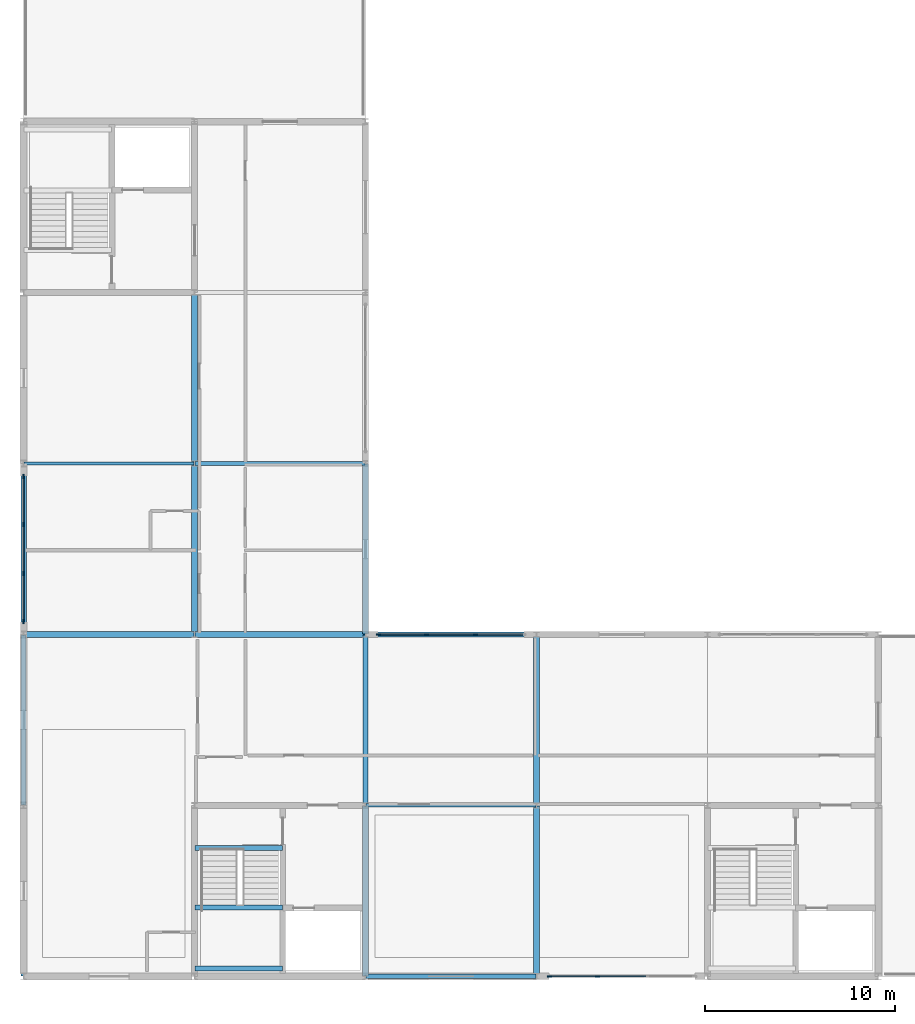
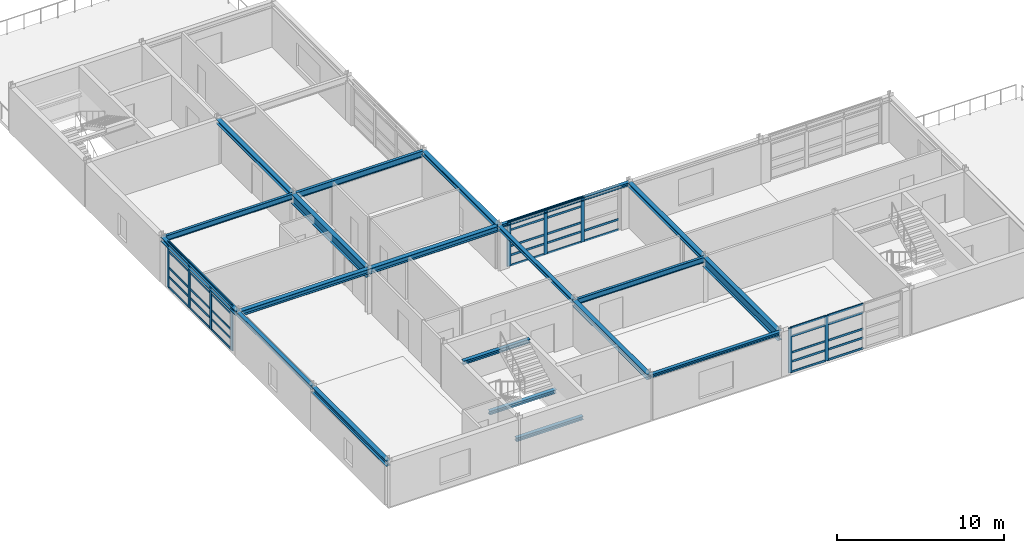
# One storey, part 4 of 11: 46 members, 20 beams, 3 elements without a shape of their own.
"""IFC4 building model written with IfcOpenShell, lengths in metres."""

from ifc_helpers import new_model, si_unit, direction, frame, origin, origin_2d, place, context, subcontext, project, spatial, rectangle, i_section, extrude, material, material_profile, profile_set, type_object, element, aggregate, save


model = new_model("IFC4")

# Units and contexts
model_context = context("Model", 3, precision=1e-05, world=origin(), true_north=direction((0.0, 1.0)))
body_context = subcontext(model_context, "Body", "Model", "MODEL_VIEW")
ifc_project = project(units=[si_unit("LENGTHUNIT", "METRE"), si_unit("AREAUNIT", "SQUARE_METRE"), si_unit("VOLUMEUNIT", "CUBIC_METRE"), si_unit("PLANEANGLEUNIT", "RADIAN"), si_unit("MASSUNIT", "GRAM", prefix="KILO")], contexts=[model_context])

# Site, building, storey
site_placement = place(None, origin())
site = spatial("IfcSite", under=ifc_project, at=site_placement, CompositionType="ELEMENT")
building_placement = place(site_placement, origin())
building = spatial("IfcBuilding", under=site, at=building_placement, Name="Palais des Congres Ocreval", CompositionType="ELEMENT")
storey_placement = place(building_placement, frame((0.0, 0.0, 26.8798828125)))
storey = spatial("IfcBuildingStorey", under=building, at=storey_placement, Name="L08", CompositionType="ELEMENT", Elevation=26.8798828125)

# Beams
ifc_material_1 = material(Name="Steel S355", Category="steel")
ifc_material_profile_1 = material_profile(ifc_material_1, i_section(OverallWidth=0.179931640625, OverallDepth=0.39990234375, WebThickness=0.008544921875, FlangeThickness=0.013427734375, at=origin_2d()), Name="IPE 400")
ifc_profile_set_1 = profile_set([ifc_material_profile_1], Name="Steel S355")
beam_type_1 = type_object("IfcBeamType", Name="Composite Beam IPE 400 Steel S355", PredefinedType="BEAM", material=ifc_profile_set_1)
for number, where, z_axis, x_axis, name in (
    (1, (0.02001953125, 27.0, 3.070068359375), (1.0, 0.0, 0.0), (0.0, 1.0, 0.0), "Beam B02 L08"),
    (2, (18.02001953125, 9.0, 3.070068359375), (1.0, 0.0, 0.0), (0.0, 1.0, 0.0), "Beam B02 L08"),
):
    element("IfcBeam", number, at=place(storey_placement, frame(where, z_axis=z_axis, x_axis=x_axis)), inside=storey, type_object=beam_type_1, Name=name, PredefinedType="BEAM", context=body_context, shape_type="SweptSolid", body=[
        extrude(i_section(OverallWidth=0.179931640625, OverallDepth=0.39990234375, WebThickness=0.008544921875, FlangeThickness=0.013427734375, at=origin_2d()), origin(), (0.0, 0.0, 1.0), 8.9599609375),
    ])
ifc_material_profile_2 = material_profile(ifc_material_1, i_section(OverallWidth=0.18994140625, OverallDepth=0.449951171875, WebThickness=0.009521484375, FlangeThickness=0.0146484375, at=origin_2d()), Name="IPE 450")
ifc_profile_set_2 = profile_set([ifc_material_profile_2], Name="Steel S355")
beam_type_2 = type_object("IfcBeamType", Name="Composite Beam IPE 450 Steel S355", PredefinedType="BEAM", material=ifc_profile_set_2)
beam_1_placement = place(storey_placement, frame((9.02001953125, 27.0, 3.045166015625), z_axis=(1.0, 0.0, 0.0), x_axis=(0.0, 1.0, 0.0)))
element("IfcBeam", 3, at=beam_1_placement, inside=storey, type_object=beam_type_2, Name="Beam B03 L08", PredefinedType="BEAM", context=body_context, shape_type="SweptSolid", body=[
    extrude(i_section(OverallWidth=0.18994140625, OverallDepth=0.449951171875, WebThickness=0.009521484375, FlangeThickness=0.0146484375, at=origin_2d()), origin(), (0.0, 0.0, 1.0), 8.9599609375),
])

# Curtain wall, members
ifc_material_2 = material(Name="Anodized bronze aluminium and low-E glass", Category="glass")
curtain_wall_type = type_object("IfcCurtainWallType", Name="Unitised Curtain Wall 7900x3280", PredefinedType="USERDEFINED", material=ifc_material_2)
curtain_wall_1_placement = place(storey_placement, origin())
curtain_wall_1 = element("IfcCurtainWall", 4, at=curtain_wall_1_placement, inside=storey, type_object=curtain_wall_type, Name="Unitised Curtain Wall CW06 L08", ObjectType="UNITISED CURTAIN WALL", PredefinedType="USERDEFINED")
ifc_material_3 = material(Name="Anodized bronze aluminium", Category="aluminium")
ifc_material_profile_3 = material_profile(ifc_material_3, rectangle(XDim=0.074951171875, YDim=0.239990234375, at=origin_2d()), Name="ALU 75x240")
ifc_profile_set_3 = profile_set([ifc_material_profile_3], Name="Anodized bronze aluminium")
member_type_1 = type_object("IfcMemberType", Name="Curtain Wall Mullion ALU 75x240", PredefinedType="MULLION", material=ifc_profile_set_3)
member_1_placement = place(storey_placement, frame((30.216796875, 0.0, 0.0), z_axis=(0.0, 0.0, 1.0), x_axis=(0.0, -1.0, 0.0)))
member_1 = element("IfcMember", 5, at=member_1_placement, type_object=member_type_1, Name="Curtain Wall Mullion ML01", PredefinedType="MULLION", context=body_context, shape_type="SweptSolid", body=[
    extrude(rectangle(XDim=0.074951171875, YDim=0.239990234375, at=origin_2d()), origin(), (0.0, 0.0, 1.0), 3.27001953125),
])
member_2_placement = place(storey_placement, frame((27.6875, 0.0, 0.0), z_axis=(0.0, 0.0, 1.0), x_axis=(0.0, -1.0, 0.0)))
member_2 = element("IfcMember", 6, at=member_2_placement, type_object=member_type_1, Name="Curtain Wall Mullion ML01", PredefinedType="MULLION", context=body_context, shape_type="SweptSolid", body=[
    extrude(rectangle(XDim=0.074951171875, YDim=0.239990234375, at=origin_2d()), origin(), (0.0, 0.0, 1.0), 3.27001953125),
])

curtain_wall_2_placement = place(storey_placement, origin())
curtain_wall_2 = element("IfcCurtainWall", 7, at=curtain_wall_2_placement, inside=storey, type_object=curtain_wall_type, Name="Unitised Curtain Wall CW06 L08", ObjectType="UNITISED CURTAIN WALL", PredefinedType="USERDEFINED")
member_3_placement = place(storey_placement, frame((0.0, 18.6875, 0.0), z_axis=(0.0, 0.0, 1.0), x_axis=(-1.0, 0.0, 0.0)))
member_3 = element("IfcMember", 8, at=member_3_placement, type_object=member_type_1, Name="Curtain Wall Mullion ML01", PredefinedType="MULLION", context=body_context, shape_type="SweptSolid", body=[
    extrude(rectangle(XDim=0.074951171875, YDim=0.239990234375, at=origin_2d()), origin(), (0.0, 0.0, 1.0), 3.27001953125),
])
member_4_placement = place(storey_placement, frame((0.0, 21.216796875, 0.0), z_axis=(0.0, 0.0, 1.0), x_axis=(-1.0, 0.0, 0.0)))
member_4 = element("IfcMember", 9, at=member_4_placement, type_object=member_type_1, Name="Curtain Wall Mullion ML01", PredefinedType="MULLION", context=body_context, shape_type="SweptSolid", body=[
    extrude(rectangle(XDim=0.074951171875, YDim=0.239990234375, at=origin_2d()), origin(), (0.0, 0.0, 1.0), 3.27001953125),
])
member_5_placement = place(storey_placement, frame((0.0, 23.783203125, 0.0), z_axis=(0.0, 0.0, 1.0), x_axis=(-1.0, 0.0, 0.0)))
member_5 = element("IfcMember", 10, at=member_5_placement, type_object=member_type_1, Name="Curtain Wall Mullion ML01", PredefinedType="MULLION", context=body_context, shape_type="SweptSolid", body=[
    extrude(rectangle(XDim=0.074951171875, YDim=0.239990234375, at=origin_2d()), origin(), (0.0, 0.0, 1.0), 3.27001953125),
])
member_6_placement = place(storey_placement, frame((0.0, 26.3125, 0.0), z_axis=(0.0, 0.0, 1.0), x_axis=(-1.0, 0.0, 0.0)))
member_6 = element("IfcMember", 11, at=member_6_placement, type_object=member_type_1, Name="Curtain Wall Mullion ML01", PredefinedType="MULLION", context=body_context, shape_type="SweptSolid", body=[
    extrude(rectangle(XDim=0.074951171875, YDim=0.239990234375, at=origin_2d()), origin(), (0.0, 0.0, 1.0), 3.27001953125),
])

curtain_wall_3_placement = place(storey_placement, origin())
curtain_wall_3 = element("IfcCurtainWall", 12, at=curtain_wall_3_placement, inside=storey, type_object=curtain_wall_type, Name="Unitised Curtain Wall CW06 L08", ObjectType="UNITISED CURTAIN WALL", PredefinedType="USERDEFINED")
member_7_placement = place(storey_placement, frame((18.6875, 18.0, 0.0), z_axis=(0.0, 0.0, 1.0), x_axis=(0.0, 1.0, 0.0)))
member_7 = element("IfcMember", 13, at=member_7_placement, type_object=member_type_1, Name="Curtain Wall Mullion ML01", PredefinedType="MULLION", context=body_context, shape_type="SweptSolid", body=[
    extrude(rectangle(XDim=0.074951171875, YDim=0.239990234375, at=origin_2d()), origin(), (0.0, 0.0, 1.0), 3.27001953125),
])
member_8_placement = place(storey_placement, frame((21.216796875, 18.0, 0.0), z_axis=(0.0, 0.0, 1.0), x_axis=(0.0, 1.0, 0.0)))
member_8 = element("IfcMember", 14, at=member_8_placement, type_object=member_type_1, Name="Curtain Wall Mullion ML01", PredefinedType="MULLION", context=body_context, shape_type="SweptSolid", body=[
    extrude(rectangle(XDim=0.074951171875, YDim=0.239990234375, at=origin_2d()), origin(), (0.0, 0.0, 1.0), 3.27001953125),
])
member_9_placement = place(storey_placement, frame((23.783203125, 18.0, 0.0), z_axis=(0.0, 0.0, 1.0), x_axis=(0.0, 1.0, 0.0)))
member_9 = element("IfcMember", 15, at=member_9_placement, type_object=member_type_1, Name="Curtain Wall Mullion ML01", PredefinedType="MULLION", context=body_context, shape_type="SweptSolid", body=[
    extrude(rectangle(XDim=0.074951171875, YDim=0.239990234375, at=origin_2d()), origin(), (0.0, 0.0, 1.0), 3.27001953125),
])

# Member
ifc_material_profile_4 = material_profile(ifc_material_3, rectangle(XDim=0.06005859375, YDim=0.14990234375, at=origin_2d()), Name="ALU 60x150")
ifc_profile_set_4 = profile_set([ifc_material_profile_4], Name="Anodized bronze aluminium")
member_type_2 = type_object("IfcMemberType", Name="Curtain Wall Transom ALU 60x150", PredefinedType="USERDEFINED", material=ifc_profile_set_4)
member_10_placement = place(storey_placement, frame((32.745849609375, 0.0, 0.030029296875), z_axis=(-1.0, 0.0, 0.0), x_axis=(0.0, -1.0, 0.0)))
member_10 = element("IfcMember", 16, at=member_10_placement, type_object=member_type_2, Name="Curtain Wall Transom TR01", ObjectType="TRANSOM", PredefinedType="USERDEFINED", context=body_context, shape_type="SweptSolid", body=[
    extrude(rectangle(XDim=0.06005859375, YDim=0.14990234375, at=origin_2d()), origin(), (0.0, 0.0, 1.0), 2.49169921875),
])

member_11_placement = place(storey_placement, frame((32.745849609375, 0.0, 0.780029296875), z_axis=(-1.0, 0.0, 0.0), x_axis=(0.0, -1.0, 0.0)))
member_11 = element("IfcMember", 17, at=member_11_placement, type_object=member_type_2, Name="Curtain Wall Transom TR01", ObjectType="TRANSOM", PredefinedType="USERDEFINED", context=body_context, shape_type="SweptSolid", body=[
    extrude(rectangle(XDim=0.06005859375, YDim=0.14990234375, at=origin_2d()), origin(), (0.0, 0.0, 1.0), 2.49169921875),
])

member_12_placement = place(storey_placement, frame((32.745849609375, 0.0, 1.441162109375), z_axis=(-1.0, 0.0, 0.0), x_axis=(0.0, -1.0, 0.0)))
member_12 = element("IfcMember", 18, at=member_12_placement, type_object=member_type_2, Name="Curtain Wall Transom TR01", ObjectType="TRANSOM", PredefinedType="USERDEFINED", context=body_context, shape_type="SweptSolid", body=[
    extrude(rectangle(XDim=0.06005859375, YDim=0.14990234375, at=origin_2d()), origin(), (0.0, 0.0, 1.0), 2.49169921875),
])

member_13_placement = place(storey_placement, frame((32.745849609375, 0.0, 2.6201171875), z_axis=(-1.0, 0.0, 0.0), x_axis=(0.0, -1.0, 0.0)))
member_13 = element("IfcMember", 19, at=member_13_placement, type_object=member_type_2, Name="Curtain Wall Transom TR01", ObjectType="TRANSOM", PredefinedType="USERDEFINED", context=body_context, shape_type="SweptSolid", body=[
    extrude(rectangle(XDim=0.06005859375, YDim=0.14990234375, at=origin_2d()), origin(), (0.0, 0.0, 1.0), 2.49169921875),
])

member_14_placement = place(storey_placement, frame((32.745849609375, 0.0, 3.240234375), z_axis=(-1.0, 0.0, 0.0), x_axis=(0.0, -1.0, 0.0)))
member_14 = element("IfcMember", 20, at=member_14_placement, type_object=member_type_2, Name="Curtain Wall Transom TR01", ObjectType="TRANSOM", PredefinedType="USERDEFINED", context=body_context, shape_type="SweptSolid", body=[
    extrude(rectangle(XDim=0.06005859375, YDim=0.14990234375, at=origin_2d()), origin(), (0.0, 0.0, 1.0), 2.49169921875),
])

member_15_placement = place(storey_placement, frame((30.17919921875, 0.0, 0.030029296875), z_axis=(-1.0, 0.0, 0.0), x_axis=(0.0, -1.0, 0.0)))
member_15 = element("IfcMember", 21, at=member_15_placement, type_object=member_type_2, Name="Curtain Wall Transom TR01", ObjectType="TRANSOM", PredefinedType="USERDEFINED", context=body_context, shape_type="SweptSolid", body=[
    extrude(rectangle(XDim=0.06005859375, YDim=0.14990234375, at=origin_2d()), origin(), (0.0, 0.0, 1.0), 2.4541015625),
])

member_16_placement = place(storey_placement, frame((30.17919921875, 0.0, 0.780029296875), z_axis=(-1.0, 0.0, 0.0), x_axis=(0.0, -1.0, 0.0)))
member_16 = element("IfcMember", 22, at=member_16_placement, type_object=member_type_2, Name="Curtain Wall Transom TR01", ObjectType="TRANSOM", PredefinedType="USERDEFINED", context=body_context, shape_type="SweptSolid", body=[
    extrude(rectangle(XDim=0.06005859375, YDim=0.14990234375, at=origin_2d()), origin(), (0.0, 0.0, 1.0), 2.4541015625),
])

member_17_placement = place(storey_placement, frame((30.17919921875, 0.0, 1.441162109375), z_axis=(-1.0, 0.0, 0.0), x_axis=(0.0, -1.0, 0.0)))
member_17 = element("IfcMember", 23, at=member_17_placement, type_object=member_type_2, Name="Curtain Wall Transom TR01", ObjectType="TRANSOM", PredefinedType="USERDEFINED", context=body_context, shape_type="SweptSolid", body=[
    extrude(rectangle(XDim=0.06005859375, YDim=0.14990234375, at=origin_2d()), origin(), (0.0, 0.0, 1.0), 2.4541015625),
])

member_18_placement = place(storey_placement, frame((30.17919921875, 0.0, 2.6201171875), z_axis=(-1.0, 0.0, 0.0), x_axis=(0.0, -1.0, 0.0)))
member_18 = element("IfcMember", 24, at=member_18_placement, type_object=member_type_2, Name="Curtain Wall Transom TR01", ObjectType="TRANSOM", PredefinedType="USERDEFINED", context=body_context, shape_type="SweptSolid", body=[
    extrude(rectangle(XDim=0.06005859375, YDim=0.14990234375, at=origin_2d()), origin(), (0.0, 0.0, 1.0), 2.4541015625),
])

member_19_placement = place(storey_placement, frame((30.17919921875, 0.0, 3.240234375), z_axis=(-1.0, 0.0, 0.0), x_axis=(0.0, -1.0, 0.0)))
member_19 = element("IfcMember", 25, at=member_19_placement, type_object=member_type_2, Name="Curtain Wall Transom TR01", ObjectType="TRANSOM", PredefinedType="USERDEFINED", context=body_context, shape_type="SweptSolid", body=[
    extrude(rectangle(XDim=0.06005859375, YDim=0.14990234375, at=origin_2d()), origin(), (0.0, 0.0, 1.0), 2.4541015625),
])

aggregate(curtain_wall_1, [member_1, member_2, member_10, member_11, member_12, member_13, member_14, member_15, member_16, member_17, member_18, member_19])

member_20_placement = place(storey_placement, frame((0.0, 18.72509765625, 0.030029296875), z_axis=(0.0, 1.0, 0.0), x_axis=(-1.0, 0.0, 0.0)))
member_20 = element("IfcMember", 26, at=member_20_placement, type_object=member_type_2, Name="Curtain Wall Transom TR01", ObjectType="TRANSOM", PredefinedType="USERDEFINED", context=body_context, shape_type="SweptSolid", body=[
    extrude(rectangle(XDim=0.06005859375, YDim=0.14990234375, at=origin_2d()), origin(), (0.0, 0.0, 1.0), 2.4541015625),
])

member_21_placement = place(storey_placement, frame((0.0, 18.72509765625, 0.780029296875), z_axis=(0.0, 1.0, 0.0), x_axis=(-1.0, 0.0, 0.0)))
member_21 = element("IfcMember", 27, at=member_21_placement, type_object=member_type_2, Name="Curtain Wall Transom TR01", ObjectType="TRANSOM", PredefinedType="USERDEFINED", context=body_context, shape_type="SweptSolid", body=[
    extrude(rectangle(XDim=0.06005859375, YDim=0.14990234375, at=origin_2d()), origin(), (0.0, 0.0, 1.0), 2.4541015625),
])

member_22_placement = place(storey_placement, frame((0.0, 18.72509765625, 1.441162109375), z_axis=(0.0, 1.0, 0.0), x_axis=(-1.0, 0.0, 0.0)))
member_22 = element("IfcMember", 28, at=member_22_placement, type_object=member_type_2, Name="Curtain Wall Transom TR01", ObjectType="TRANSOM", PredefinedType="USERDEFINED", context=body_context, shape_type="SweptSolid", body=[
    extrude(rectangle(XDim=0.06005859375, YDim=0.14990234375, at=origin_2d()), origin(), (0.0, 0.0, 1.0), 2.4541015625),
])

member_23_placement = place(storey_placement, frame((0.0, 18.72509765625, 2.6201171875), z_axis=(0.0, 1.0, 0.0), x_axis=(-1.0, 0.0, 0.0)))
member_23 = element("IfcMember", 29, at=member_23_placement, type_object=member_type_2, Name="Curtain Wall Transom TR01", ObjectType="TRANSOM", PredefinedType="USERDEFINED", context=body_context, shape_type="SweptSolid", body=[
    extrude(rectangle(XDim=0.06005859375, YDim=0.14990234375, at=origin_2d()), origin(), (0.0, 0.0, 1.0), 2.4541015625),
])

member_24_placement = place(storey_placement, frame((0.0, 18.72509765625, 3.240234375), z_axis=(0.0, 1.0, 0.0), x_axis=(-1.0, 0.0, 0.0)))
member_24 = element("IfcMember", 30, at=member_24_placement, type_object=member_type_2, Name="Curtain Wall Transom TR01", ObjectType="TRANSOM", PredefinedType="USERDEFINED", context=body_context, shape_type="SweptSolid", body=[
    extrude(rectangle(XDim=0.06005859375, YDim=0.14990234375, at=origin_2d()), origin(), (0.0, 0.0, 1.0), 2.4541015625),
])

member_25_placement = place(storey_placement, frame((0.0, 21.254150390625, 0.030029296875), z_axis=(0.0, 1.0, 0.0), x_axis=(-1.0, 0.0, 0.0)))
member_25 = element("IfcMember", 31, at=member_25_placement, type_object=member_type_2, Name="Curtain Wall Transom TR01", ObjectType="TRANSOM", PredefinedType="USERDEFINED", context=body_context, shape_type="SweptSolid", body=[
    extrude(rectangle(XDim=0.06005859375, YDim=0.14990234375, at=origin_2d()), origin(), (0.0, 0.0, 1.0), 2.49169921875),
])

member_26_placement = place(storey_placement, frame((0.0, 21.254150390625, 0.780029296875), z_axis=(0.0, 1.0, 0.0), x_axis=(-1.0, 0.0, 0.0)))
member_26 = element("IfcMember", 32, at=member_26_placement, type_object=member_type_2, Name="Curtain Wall Transom TR01", ObjectType="TRANSOM", PredefinedType="USERDEFINED", context=body_context, shape_type="SweptSolid", body=[
    extrude(rectangle(XDim=0.06005859375, YDim=0.14990234375, at=origin_2d()), origin(), (0.0, 0.0, 1.0), 2.49169921875),
])

member_27_placement = place(storey_placement, frame((0.0, 21.254150390625, 1.441162109375), z_axis=(0.0, 1.0, 0.0), x_axis=(-1.0, 0.0, 0.0)))
member_27 = element("IfcMember", 33, at=member_27_placement, type_object=member_type_2, Name="Curtain Wall Transom TR01", ObjectType="TRANSOM", PredefinedType="USERDEFINED", context=body_context, shape_type="SweptSolid", body=[
    extrude(rectangle(XDim=0.06005859375, YDim=0.14990234375, at=origin_2d()), origin(), (0.0, 0.0, 1.0), 2.49169921875),
])

member_28_placement = place(storey_placement, frame((0.0, 21.254150390625, 2.6201171875), z_axis=(0.0, 1.0, 0.0), x_axis=(-1.0, 0.0, 0.0)))
member_28 = element("IfcMember", 34, at=member_28_placement, type_object=member_type_2, Name="Curtain Wall Transom TR01", ObjectType="TRANSOM", PredefinedType="USERDEFINED", context=body_context, shape_type="SweptSolid", body=[
    extrude(rectangle(XDim=0.06005859375, YDim=0.14990234375, at=origin_2d()), origin(), (0.0, 0.0, 1.0), 2.49169921875),
])

member_29_placement = place(storey_placement, frame((0.0, 21.254150390625, 3.240234375), z_axis=(0.0, 1.0, 0.0), x_axis=(-1.0, 0.0, 0.0)))
member_29 = element("IfcMember", 35, at=member_29_placement, type_object=member_type_2, Name="Curtain Wall Transom TR01", ObjectType="TRANSOM", PredefinedType="USERDEFINED", context=body_context, shape_type="SweptSolid", body=[
    extrude(rectangle(XDim=0.06005859375, YDim=0.14990234375, at=origin_2d()), origin(), (0.0, 0.0, 1.0), 2.49169921875),
])

member_30_placement = place(storey_placement, frame((0.0, 23.82080078125, 0.030029296875), z_axis=(0.0, 1.0, 0.0), x_axis=(-1.0, 0.0, 0.0)))
member_30 = element("IfcMember", 36, at=member_30_placement, type_object=member_type_2, Name="Curtain Wall Transom TR01", ObjectType="TRANSOM", PredefinedType="USERDEFINED", context=body_context, shape_type="SweptSolid", body=[
    extrude(rectangle(XDim=0.06005859375, YDim=0.14990234375, at=origin_2d()), origin(), (0.0, 0.0, 1.0), 2.4541015625),
])

member_31_placement = place(storey_placement, frame((0.0, 23.82080078125, 0.780029296875), z_axis=(0.0, 1.0, 0.0), x_axis=(-1.0, 0.0, 0.0)))
member_31 = element("IfcMember", 37, at=member_31_placement, type_object=member_type_2, Name="Curtain Wall Transom TR01", ObjectType="TRANSOM", PredefinedType="USERDEFINED", context=body_context, shape_type="SweptSolid", body=[
    extrude(rectangle(XDim=0.06005859375, YDim=0.14990234375, at=origin_2d()), origin(), (0.0, 0.0, 1.0), 2.4541015625),
])

member_32_placement = place(storey_placement, frame((0.0, 23.82080078125, 1.441162109375), z_axis=(0.0, 1.0, 0.0), x_axis=(-1.0, 0.0, 0.0)))
member_32 = element("IfcMember", 38, at=member_32_placement, type_object=member_type_2, Name="Curtain Wall Transom TR01", ObjectType="TRANSOM", PredefinedType="USERDEFINED", context=body_context, shape_type="SweptSolid", body=[
    extrude(rectangle(XDim=0.06005859375, YDim=0.14990234375, at=origin_2d()), origin(), (0.0, 0.0, 1.0), 2.4541015625),
])

member_33_placement = place(storey_placement, frame((0.0, 23.82080078125, 2.6201171875), z_axis=(0.0, 1.0, 0.0), x_axis=(-1.0, 0.0, 0.0)))
member_33 = element("IfcMember", 39, at=member_33_placement, type_object=member_type_2, Name="Curtain Wall Transom TR01", ObjectType="TRANSOM", PredefinedType="USERDEFINED", context=body_context, shape_type="SweptSolid", body=[
    extrude(rectangle(XDim=0.06005859375, YDim=0.14990234375, at=origin_2d()), origin(), (0.0, 0.0, 1.0), 2.4541015625),
])

member_34_placement = place(storey_placement, frame((0.0, 23.82080078125, 3.240234375), z_axis=(0.0, 1.0, 0.0), x_axis=(-1.0, 0.0, 0.0)))
member_34 = element("IfcMember", 40, at=member_34_placement, type_object=member_type_2, Name="Curtain Wall Transom TR01", ObjectType="TRANSOM", PredefinedType="USERDEFINED", context=body_context, shape_type="SweptSolid", body=[
    extrude(rectangle(XDim=0.06005859375, YDim=0.14990234375, at=origin_2d()), origin(), (0.0, 0.0, 1.0), 2.4541015625),
])

aggregate(curtain_wall_2, [member_3, member_4, member_5, member_6, member_20, member_21, member_22, member_23, member_24, member_25, member_26, member_27, member_28, member_29, member_30, member_31, member_32, member_33, member_34])

member_35_placement = place(storey_placement, frame((18.72509765625, 18.0, 0.030029296875), z_axis=(1.0, 0.0, 0.0), x_axis=(0.0, 1.0, 0.0)))
member_35 = element("IfcMember", 41, at=member_35_placement, type_object=member_type_2, Name="Curtain Wall Transom TR01", ObjectType="TRANSOM", PredefinedType="USERDEFINED", context=body_context, shape_type="SweptSolid", body=[
    extrude(rectangle(XDim=0.06005859375, YDim=0.14990234375, at=origin_2d()), origin(), (0.0, 0.0, 1.0), 2.4541015625),
])

member_36_placement = place(storey_placement, frame((18.72509765625, 18.0, 0.780029296875), z_axis=(1.0, 0.0, 0.0), x_axis=(0.0, 1.0, 0.0)))
member_36 = element("IfcMember", 42, at=member_36_placement, type_object=member_type_2, Name="Curtain Wall Transom TR01", ObjectType="TRANSOM", PredefinedType="USERDEFINED", context=body_context, shape_type="SweptSolid", body=[
    extrude(rectangle(XDim=0.06005859375, YDim=0.14990234375, at=origin_2d()), origin(), (0.0, 0.0, 1.0), 2.4541015625),
])

member_37_placement = place(storey_placement, frame((18.72509765625, 18.0, 1.441162109375), z_axis=(1.0, 0.0, 0.0), x_axis=(0.0, 1.0, 0.0)))
member_37 = element("IfcMember", 43, at=member_37_placement, type_object=member_type_2, Name="Curtain Wall Transom TR01", ObjectType="TRANSOM", PredefinedType="USERDEFINED", context=body_context, shape_type="SweptSolid", body=[
    extrude(rectangle(XDim=0.06005859375, YDim=0.14990234375, at=origin_2d()), origin(), (0.0, 0.0, 1.0), 2.4541015625),
])

member_38_placement = place(storey_placement, frame((18.72509765625, 18.0, 2.6201171875), z_axis=(1.0, 0.0, 0.0), x_axis=(0.0, 1.0, 0.0)))
member_38 = element("IfcMember", 44, at=member_38_placement, type_object=member_type_2, Name="Curtain Wall Transom TR01", ObjectType="TRANSOM", PredefinedType="USERDEFINED", context=body_context, shape_type="SweptSolid", body=[
    extrude(rectangle(XDim=0.06005859375, YDim=0.14990234375, at=origin_2d()), origin(), (0.0, 0.0, 1.0), 2.4541015625),
])

member_39_placement = place(storey_placement, frame((18.72509765625, 18.0, 3.240234375), z_axis=(1.0, 0.0, 0.0), x_axis=(0.0, 1.0, 0.0)))
member_39 = element("IfcMember", 45, at=member_39_placement, type_object=member_type_2, Name="Curtain Wall Transom TR01", ObjectType="TRANSOM", PredefinedType="USERDEFINED", context=body_context, shape_type="SweptSolid", body=[
    extrude(rectangle(XDim=0.06005859375, YDim=0.14990234375, at=origin_2d()), origin(), (0.0, 0.0, 1.0), 2.4541015625),
])

member_40_placement = place(storey_placement, frame((21.254150390625, 18.0, 0.030029296875), z_axis=(1.0, 0.0, 0.0), x_axis=(0.0, 1.0, 0.0)))
member_40 = element("IfcMember", 46, at=member_40_placement, type_object=member_type_2, Name="Curtain Wall Transom TR01", ObjectType="TRANSOM", PredefinedType="USERDEFINED", context=body_context, shape_type="SweptSolid", body=[
    extrude(rectangle(XDim=0.06005859375, YDim=0.14990234375, at=origin_2d()), origin(), (0.0, 0.0, 1.0), 2.49169921875),
])

member_41_placement = place(storey_placement, frame((21.254150390625, 18.0, 0.780029296875), z_axis=(1.0, 0.0, 0.0), x_axis=(0.0, 1.0, 0.0)))
member_41 = element("IfcMember", 47, at=member_41_placement, type_object=member_type_2, Name="Curtain Wall Transom TR01", ObjectType="TRANSOM", PredefinedType="USERDEFINED", context=body_context, shape_type="SweptSolid", body=[
    extrude(rectangle(XDim=0.06005859375, YDim=0.14990234375, at=origin_2d()), origin(), (0.0, 0.0, 1.0), 2.49169921875),
])

member_42_placement = place(storey_placement, frame((21.254150390625, 18.0, 1.441162109375), z_axis=(1.0, 0.0, 0.0), x_axis=(0.0, 1.0, 0.0)))
member_42 = element("IfcMember", 48, at=member_42_placement, type_object=member_type_2, Name="Curtain Wall Transom TR01", ObjectType="TRANSOM", PredefinedType="USERDEFINED", context=body_context, shape_type="SweptSolid", body=[
    extrude(rectangle(XDim=0.06005859375, YDim=0.14990234375, at=origin_2d()), origin(), (0.0, 0.0, 1.0), 2.49169921875),
])

member_43_placement = place(storey_placement, frame((21.254150390625, 18.0, 2.6201171875), z_axis=(1.0, 0.0, 0.0), x_axis=(0.0, 1.0, 0.0)))
member_43 = element("IfcMember", 49, at=member_43_placement, type_object=member_type_2, Name="Curtain Wall Transom TR01", ObjectType="TRANSOM", PredefinedType="USERDEFINED", context=body_context, shape_type="SweptSolid", body=[
    extrude(rectangle(XDim=0.06005859375, YDim=0.14990234375, at=origin_2d()), origin(), (0.0, 0.0, 1.0), 2.49169921875),
])

member_44_placement = place(storey_placement, frame((21.254150390625, 18.0, 3.240234375), z_axis=(1.0, 0.0, 0.0), x_axis=(0.0, 1.0, 0.0)))
member_44 = element("IfcMember", 50, at=member_44_placement, type_object=member_type_2, Name="Curtain Wall Transom TR01", ObjectType="TRANSOM", PredefinedType="USERDEFINED", context=body_context, shape_type="SweptSolid", body=[
    extrude(rectangle(XDim=0.06005859375, YDim=0.14990234375, at=origin_2d()), origin(), (0.0, 0.0, 1.0), 2.49169921875),
])

member_45_placement = place(storey_placement, frame((23.82080078125, 18.0, 0.030029296875), z_axis=(1.0, 0.0, 0.0), x_axis=(0.0, 1.0, 0.0)))
member_45 = element("IfcMember", 51, at=member_45_placement, type_object=member_type_2, Name="Curtain Wall Transom TR01", ObjectType="TRANSOM", PredefinedType="USERDEFINED", context=body_context, shape_type="SweptSolid", body=[
    extrude(rectangle(XDim=0.06005859375, YDim=0.14990234375, at=origin_2d()), origin(), (0.0, 0.0, 1.0), 2.4541015625),
])

member_46_placement = place(storey_placement, frame((23.82080078125, 18.0, 0.780029296875), z_axis=(1.0, 0.0, 0.0), x_axis=(0.0, 1.0, 0.0)))
member_46 = element("IfcMember", 52, at=member_46_placement, type_object=member_type_2, Name="Curtain Wall Transom TR01", ObjectType="TRANSOM", PredefinedType="USERDEFINED", context=body_context, shape_type="SweptSolid", body=[
    extrude(rectangle(XDim=0.06005859375, YDim=0.14990234375, at=origin_2d()), origin(), (0.0, 0.0, 1.0), 2.4541015625),
])

aggregate(curtain_wall_3, [member_7, member_8, member_9, member_35, member_36, member_37, member_38, member_39, member_40, member_41, member_42, member_43, member_44, member_45, member_46])

# Beams
ifc_material_profile_5 = material_profile(ifc_material_1, i_section(OverallWidth=0.260009765625, OverallDepth=0.260009765625, WebThickness=0.010009765625, FlangeThickness=0.017578125, at=origin_2d()), Name="HEB 260")
ifc_profile_set_5 = profile_set([ifc_material_profile_5], Name="Steel S355")
beam_type_3 = type_object("IfcBeamType", Name="Opening Lintel HEB 260 Steel S355", PredefinedType="LINTEL", material=ifc_profile_set_5)
for number, where, z_axis, x_axis, name in (
    (53, (0.0, 9.02001953125, 3.14013671875), (0.0, 1.0, 0.0), (-1.0, 0.0, 0.0), "Girder LN01 L08"),
    (54, (18.0, 9.02001953125, 3.14013671875), (0.0, 1.0, 0.0), (-1.0, 0.0, 0.0), "Girder LN01 L08"),
):
    element("IfcBeam", number, at=place(storey_placement, frame(where, z_axis=z_axis, x_axis=x_axis)), inside=storey, type_object=beam_type_3, Name=name, PredefinedType="LINTEL", context=body_context, shape_type="SweptSolid", body=[
        extrude(i_section(OverallWidth=0.260009765625, OverallDepth=0.260009765625, WebThickness=0.010009765625, FlangeThickness=0.017578125, at=origin_2d()), origin(), (0.0, 0.0, 1.0), 8.9599609375),
    ])
for number, where, z_axis, x_axis, name in (
    (55, (9.02001953125, 0.419921875, 1.43017578125), (1.0, 0.0, 0.0), (0.0, 1.0, 0.0), "Stair Landing Support Beam ST01 L08-1"),
    (56, (9.02001953125, 3.6298828125, 1.43017578125), (1.0, 0.0, 0.0), (0.0, 1.0, 0.0), "Stair Landing Support Beam ST01 L08-2"),
    (57, (9.02001953125, 6.77001953125, 3.190185546875), (1.0, 0.0, 0.0), (0.0, 1.0, 0.0), "Roof Landing Support Beam ST01"),
):
    element("IfcBeam", number, at=place(storey_placement, frame(where, z_axis=z_axis, x_axis=x_axis)), inside=storey, type_object=beam_type_3, Name=name, PredefinedType="LINTEL", context=body_context, shape_type="SweptSolid", body=[
        extrude(i_section(OverallWidth=0.260009765625, OverallDepth=0.260009765625, WebThickness=0.010009765625, FlangeThickness=0.017578125, at=origin_2d()), origin(), (0.0, 0.0, 1.0), 4.60986328125),
    ])
ifc_material_profile_6 = material_profile(ifc_material_1, i_section(OverallWidth=0.239990234375, OverallDepth=0.22998046875, WebThickness=0.007568359375, FlangeThickness=0.011962890625, at=origin_2d()), Name="HEA 240")
ifc_profile_set_6 = profile_set([ifc_material_profile_6], Name="Steel S355")
beam_type_4 = type_object("IfcBeamType", Name="Perimeter Spandrel HEA 240 Steel S355", PredefinedType="SPANDREL", material=ifc_profile_set_6)
for number, where, z_axis, x_axis, name in (
    (58, (18.02001953125, 0.0, 3.155029296875), (1.0, 0.0, 0.0), (0.0, 1.0, 0.0), "Beam SP01 L08"),
    (59, (18.02001953125, 18.0, 3.155029296875), (1.0, 0.0, 0.0), (0.0, 1.0, 0.0), "Beam SP01 L08"),
):
    element("IfcBeam", number, at=place(storey_placement, frame(where, z_axis=z_axis, x_axis=x_axis)), inside=storey, type_object=beam_type_4, Name=name, PredefinedType="SPANDREL", context=body_context, shape_type="SweptSolid", body=[
        extrude(i_section(OverallWidth=0.239990234375, OverallDepth=0.22998046875, WebThickness=0.007568359375, FlangeThickness=0.011962890625, at=origin_2d()), origin(), (0.0, 0.0, 1.0), 8.9599609375),
    ])
ifc_material_profile_7 = material_profile(ifc_material_1, i_section(OverallWidth=0.300048828125, OverallDepth=0.300048828125, WebThickness=0.010986328125, FlangeThickness=0.01904296875, at=origin_2d()), Name="HEB 300")
ifc_profile_set_7 = profile_set([ifc_material_profile_7], Name="Steel S355")
beam_type_5 = type_object("IfcBeamType", Name="Perimeter Spandrel HEB 300 Steel S355", PredefinedType="SPANDREL", material=ifc_profile_set_7)
for number, where, z_axis, x_axis, name in (
    (60, (0.0, 18.02001953125, 3.1201171875), (0.0, 1.0, 0.0), (-1.0, 0.0, 0.0), "Girder SP02 L08"),
    (61, (18.0, 18.02001953125, 3.1201171875), (0.0, 1.0, 0.0), (-1.0, 0.0, 0.0), "Girder SP02 L08"),
):
    element("IfcBeam", number, at=place(storey_placement, frame(where, z_axis=z_axis, x_axis=x_axis)), inside=storey, type_object=beam_type_5, Name=name, PredefinedType="SPANDREL", context=body_context, shape_type="SweptSolid", body=[
        extrude(i_section(OverallWidth=0.300048828125, OverallDepth=0.300048828125, WebThickness=0.010986328125, FlangeThickness=0.01904296875, at=origin_2d()), origin(), (0.0, 0.0, 1.0), 8.9599609375),
    ])
ifc_material_profile_8 = material_profile(ifc_material_1, i_section(OverallWidth=0.300048828125, OverallDepth=0.360107421875, WebThickness=0.012451171875, FlangeThickness=0.0224609375, at=origin_2d()), Name="HEB 360")
ifc_profile_set_8 = profile_set([ifc_material_profile_8], Name="Steel S355")
beam_type_6 = type_object("IfcBeamType", Name="Perimeter Spandrel HEB 360 Steel S355", PredefinedType="SPANDREL", material=ifc_profile_set_8)
beam_2_placement = place(storey_placement, frame((0.02001953125, 18.0, 3.090087890625), z_axis=(1.0, 0.0, 0.0), x_axis=(0.0, 1.0, 0.0)))
element("IfcBeam", 62, at=beam_2_placement, inside=storey, type_object=beam_type_6, Name="Beam SP03 L08", PredefinedType="SPANDREL", context=body_context, shape_type="SweptSolid", body=[
    extrude(i_section(OverallWidth=0.300048828125, OverallDepth=0.360107421875, WebThickness=0.012451171875, FlangeThickness=0.0224609375, at=origin_2d()), origin(), (0.0, 0.0, 1.0), 8.9599609375),
])
ifc_material_profile_9 = material_profile(ifc_material_1, i_section(OverallWidth=0.300048828125, OverallDepth=0.39990234375, WebThickness=0.013427734375, FlangeThickness=0.02392578125, at=origin_2d()), Name="HEB 400")
ifc_profile_set_9 = profile_set([ifc_material_profile_9], Name="Steel S355")
beam_type_7 = type_object("IfcBeamType", Name="Perimeter Spandrel HEB 400 Steel S355", PredefinedType="SPANDREL", material=ifc_profile_set_9)
for number, where, z_axis, x_axis, name in (
    (63, (0.0, 0.02001953125, 3.070068359375), (0.0, 1.0, 0.0), (-1.0, 0.0, 0.0), "Girder SP04 L08"),
    (64, (9.02001953125, 18.0, 3.070068359375), (1.0, 0.0, 0.0), (0.0, 1.0, 0.0), "Beam SP04 L08"),
    (65, (18.0, 0.02001953125, 3.070068359375), (0.0, 1.0, 0.0), (-1.0, 0.0, 0.0), "Girder SP04 L08"),
):
    element("IfcBeam", number, at=place(storey_placement, frame(where, z_axis=z_axis, x_axis=x_axis)), inside=storey, type_object=beam_type_7, Name=name, PredefinedType="SPANDREL", context=body_context, shape_type="SweptSolid", body=[
        extrude(i_section(OverallWidth=0.300048828125, OverallDepth=0.39990234375, WebThickness=0.013427734375, FlangeThickness=0.02392578125, at=origin_2d()), origin(), (0.0, 0.0, 1.0), 8.9599609375),
    ])
ifc_material_profile_10 = material_profile(ifc_material_1, i_section(OverallWidth=0.300048828125, OverallDepth=0.2900390625, WebThickness=0.008544921875, FlangeThickness=0.013916015625, at=origin_2d()), Name="HEA 300")
ifc_profile_set_10 = profile_set([ifc_material_profile_10], Name="Steel S355")
beam_type_8 = type_object("IfcBeamType", Name="Primary Beam HEA 300 Steel S355", PredefinedType="BEAM", material=ifc_profile_set_10)
for number, where, z_axis, x_axis, name in (
    (66, (9.0, 27.02001953125, 3.125), (0.0, 1.0, 0.0), (-1.0, 0.0, 0.0), "Girder B08 L08"),
    (67, (27.0, 9.02001953125, 3.125), (0.0, 1.0, 0.0), (-1.0, 0.0, 0.0), "Girder B08 L08"),
):
    element("IfcBeam", number, at=place(storey_placement, frame(where, z_axis=z_axis, x_axis=x_axis)), inside=storey, type_object=beam_type_8, Name=name, PredefinedType="BEAM", context=body_context, shape_type="SweptSolid", body=[
        extrude(i_section(OverallWidth=0.300048828125, OverallDepth=0.2900390625, WebThickness=0.008544921875, FlangeThickness=0.013916015625, at=origin_2d()), origin(), (0.0, 0.0, 1.0), 8.9599609375),
    ])
ifc_material_profile_11 = material_profile(ifc_material_1, i_section(OverallWidth=0.300048828125, OverallDepth=0.68994140625, WebThickness=0.014404296875, FlangeThickness=0.027099609375, at=origin_2d()), Name="HEA 700")
ifc_profile_set_11 = profile_set([ifc_material_profile_11], Name="Steel S355")
beam_type_9 = type_object("IfcBeamType", Name="Primary Girder HEA 700 Steel S355", PredefinedType="BEAM", material=ifc_profile_set_11)
for number, where, z_axis, x_axis, name in (
    (68, (9.0, 18.02001953125, 2.925048828125), (0.0, 1.0, 0.0), (-1.0, 0.0, 0.0), "Girder B14 L08"),
    (69, (27.0, 0.02001953125, 2.925048828125), (0.0, 1.0, 0.0), (-1.0, 0.0, 0.0), "Girder B14 L08"),
):
    element("IfcBeam", number, at=place(storey_placement, frame(where, z_axis=z_axis, x_axis=x_axis)), inside=storey, type_object=beam_type_9, Name=name, PredefinedType="BEAM", context=body_context, shape_type="SweptSolid", body=[
        extrude(i_section(OverallWidth=0.300048828125, OverallDepth=0.68994140625, WebThickness=0.014404296875, FlangeThickness=0.027099609375, at=origin_2d()), origin(), (0.0, 0.0, 1.0), 8.9599609375),
    ])

save(model, "model.ifc")
